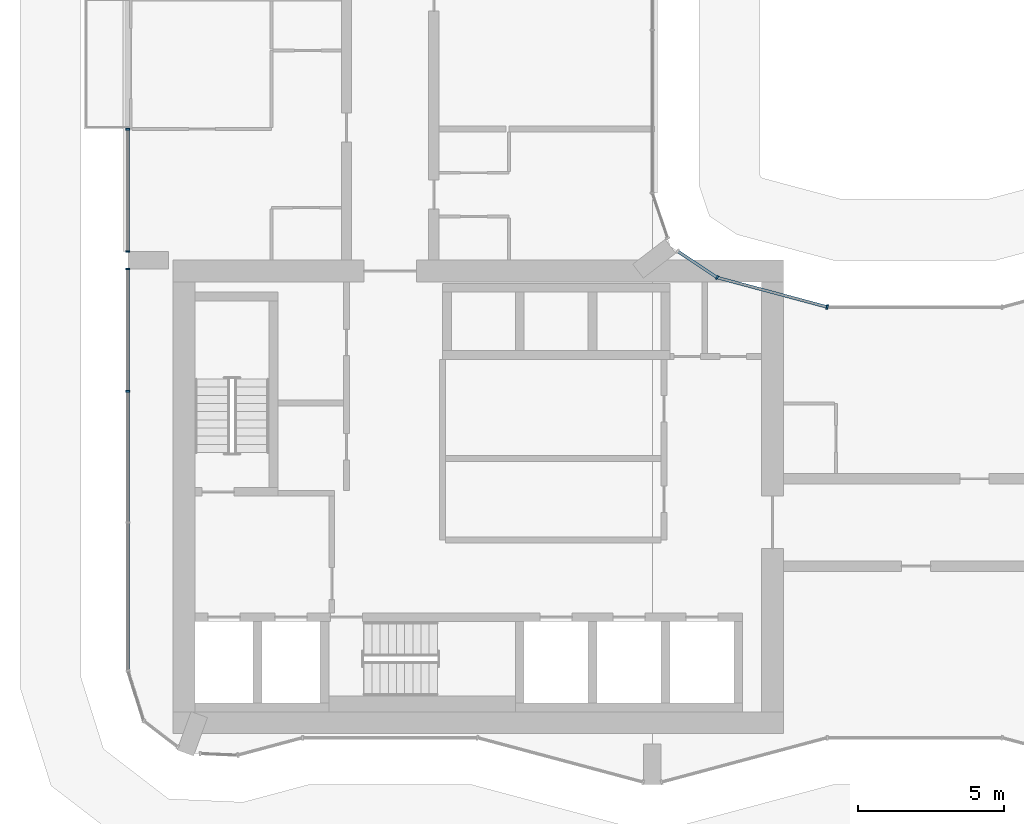
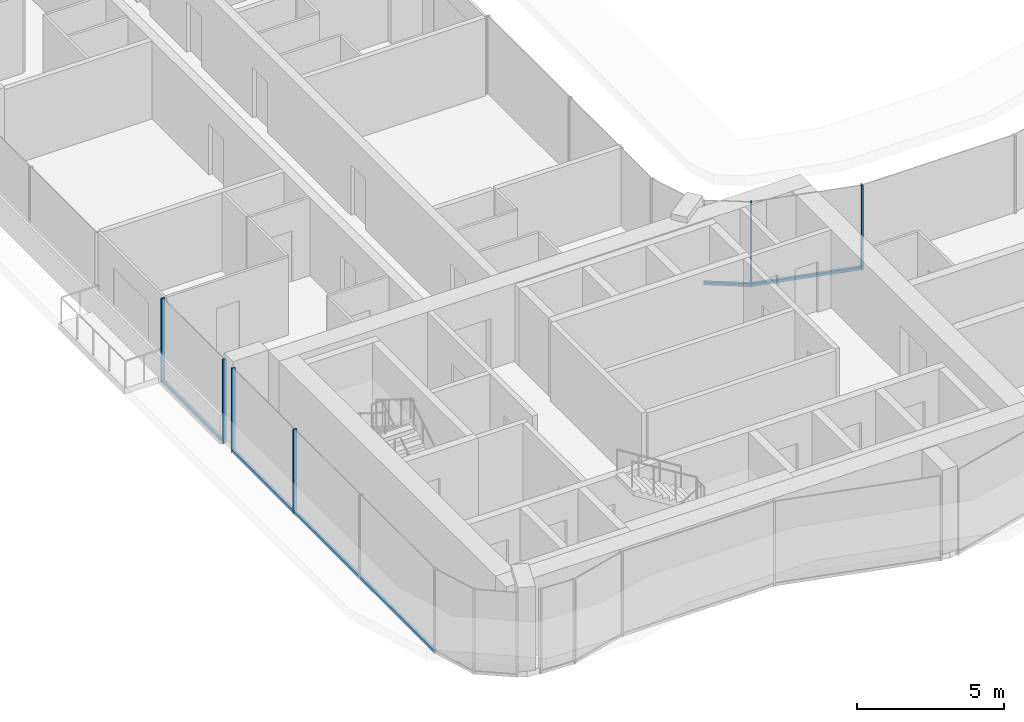
# One storey, part 3 of 24: 10 members, 4 elements without a shape of their own.
"""IFC4 building model written with IfcOpenShell, lengths in metres."""

from ifc_helpers import new_model, si_unit, direction, frame, origin, origin_2d, place, context, subcontext, project, spatial, rectangle, extrude, material, layer, layer_set, material_profile, profile_set, type_object, element, aggregate, save


model = new_model("IFC4")

# Units and contexts
model_context = context("Model", 3, precision=1e-05, world=origin(), true_north=direction((0.0, 1.0)))
body_context = subcontext(model_context, "Body", "Model", "MODEL_VIEW")
ifc_project = project(units=[si_unit("LENGTHUNIT", "METRE"), si_unit("AREAUNIT", "SQUARE_METRE"), si_unit("VOLUMEUNIT", "CUBIC_METRE"), si_unit("PLANEANGLEUNIT", "RADIAN"), si_unit("MASSUNIT", "GRAM", prefix="KILO")], contexts=[model_context])

# Site, building, storey
site_placement = place(None, origin())
site = spatial("IfcSite", under=ifc_project, at=site_placement, CompositionType="ELEMENT")
building_placement = place(site_placement, origin())
building = spatial("IfcBuilding", under=site, at=building_placement, Name="Plateau Cross Towers", CompositionType="ELEMENT")
storey_placement = place(building_placement, frame((0.0, 0.0, 30.300048828125)))
storey = spatial("IfcBuildingStorey", under=building, at=storey_placement, Name="L06", CompositionType="ELEMENT", Elevation=30.300048828125)

# Curtain wall, member
ifc_material_1 = material(Name="Dark low-iron glass", Category="glass")
ifc_layer_1 = layer(ifc_material_1, 0.239990234375)
ifc_layer_set_1 = layer_set([ifc_layer_1], Name="Dark low-iron glass")
curtain_wall_type_1 = type_object("IfcCurtainWallType", Name="Curtain wall flush unitised CW-B", PredefinedType="NOTDEFINED", material=ifc_layer_set_1)
curtain_wall_1_placement = place(storey_placement, origin())
curtain_wall_1 = element("IfcCurtainWall", 1, at=curtain_wall_1_placement, inside=storey, type_object=curtain_wall_type_1, Name="ENV/A/L06/A202_174", PredefinedType="NOTDEFINED")
ifc_material_2 = material(Name="Black anodised aluminium", Category="aluminium")
ifc_material_profile_1 = material_profile(ifc_material_2, rectangle(XDim=0.06005859375, YDim=0.139892578125, at=origin_2d()), Name="MULLION 60x140")
ifc_profile_set_1 = profile_set([ifc_material_profile_1], Name="Black anodised aluminium")
member_type_1 = type_object("IfcMemberType", Name="Mullion 60x140 flush unitised", PredefinedType="MULLION", material=ifc_profile_set_1)
member_1_placement = place(storey_placement, frame((20.223876953125, 17.404296875, -0.25), z_axis=(0.0, 0.0, 1.0), x_axis=(-0.831521253329, 0.555492938984, 0.0)))
member_1 = element("IfcMember", 2, at=member_1_placement, type_object=member_type_1, Name="CW-B mullion 1", PredefinedType="MULLION", context=body_context, shape_type="SweptSolid", body=[
    extrude(rectangle(XDim=0.06005859375, YDim=0.139892578125, at=origin_2d()), origin(), (0.0, 0.0, 1.0), 3.5),
])

# Curtain wall, members
curtain_wall_2_placement = place(storey_placement, origin())
curtain_wall_2 = element("IfcCurtainWall", 3, at=curtain_wall_2_placement, inside=storey, type_object=curtain_wall_type_1, Name="ENV/A/L06/A0_225", PredefinedType="NOTDEFINED")
member_2_placement = place(storey_placement, frame((0.0, 22.489990234375, -0.25), z_axis=(0.0, 0.0, 1.0), x_axis=(0.0, -1.0, 0.0)))
member_2 = element("IfcMember", 4, at=member_2_placement, type_object=member_type_1, Name="CW-B mullion 1", PredefinedType="MULLION", context=body_context, shape_type="SweptSolid", body=[
    extrude(rectangle(XDim=0.06005859375, YDim=0.139892578125, at=origin_2d()), origin(), (0.0, 0.0, 1.0), 3.5),
])
member_3_placement = place(storey_placement, frame((0.0, 18.300048828125, -0.25), z_axis=(0.0, 0.0, 1.0), x_axis=(0.0, -1.0, 0.0)))
member_3 = element("IfcMember", 5, at=member_3_placement, type_object=member_type_1, Name="CW-B mullion 2", PredefinedType="MULLION", context=body_context, shape_type="SweptSolid", body=[
    extrude(rectangle(XDim=0.06005859375, YDim=0.139892578125, at=origin_2d()), origin(), (0.0, 0.0, 1.0), 3.5),
])

curtain_wall_3_placement = place(storey_placement, origin())
curtain_wall_3 = element("IfcCurtainWall", 6, at=curtain_wall_3_placement, inside=storey, type_object=curtain_wall_type_1, Name="ENV/A/L06/A0_177", PredefinedType="NOTDEFINED")
member_4_placement = place(storey_placement, frame((0.0, 17.699951171875, -0.25), z_axis=(0.0, 0.0, 1.0), x_axis=(0.0, -1.0, 0.0)))
member_4 = element("IfcMember", 7, at=member_4_placement, type_object=member_type_1, Name="CW-B mullion 1", PredefinedType="MULLION", context=body_context, shape_type="SweptSolid", body=[
    extrude(rectangle(XDim=0.06005859375, YDim=0.139892578125, at=origin_2d()), origin(), (0.0, 0.0, 1.0), 3.5),
])
member_5_placement = place(storey_placement, frame((0.0, 13.5, -0.25), z_axis=(0.0, 0.0, 1.0), x_axis=(0.0, -1.0, 0.0)))
member_5 = element("IfcMember", 8, at=member_5_placement, type_object=member_type_1, Name="CW-B mullion 2", PredefinedType="MULLION", context=body_context, shape_type="SweptSolid", body=[
    extrude(rectangle(XDim=0.06005859375, YDim=0.139892578125, at=origin_2d()), origin(), (0.0, 0.0, 1.0), 3.5),
])

# Curtain wall, member
ifc_layer_2 = layer(ifc_material_1, 0.260009765625)
ifc_layer_set_2 = layer_set([ifc_layer_2], Name="Dark low-iron glass")
curtain_wall_type_2 = type_object("IfcCurtainWallType", Name="Curtain wall fluted unitised CW-A", PredefinedType="NOTDEFINED", material=ifc_layer_set_2)
curtain_wall_4_placement = place(storey_placement, origin())
curtain_wall_4 = element("IfcCurtainWall", 9, at=curtain_wall_4_placement, inside=storey, type_object=curtain_wall_type_2, Name="ENV/A/L06/A240_164", PredefinedType="NOTDEFINED")
ifc_material_profile_2 = material_profile(ifc_material_2, rectangle(XDim=0.06005859375, YDim=0.159912109375, at=origin_2d()), Name="MULLION 60x160")
ifc_profile_set_2 = profile_set([ifc_material_profile_2], Name="Black anodised aluminium")
member_type_2 = type_object("IfcMemberType", Name="Mullion 60x160 fluted unitised", PredefinedType="MULLION", material=ifc_profile_set_2)
member_6_placement = place(storey_placement, frame((24.0, 16.39306640625, -0.25), z_axis=(0.0, 0.0, 1.0), x_axis=(-0.965957995816, 0.258698956933, 0.0)))
member_6 = element("IfcMember", 10, at=member_6_placement, type_object=member_type_2, Name="CW-A mullion 1", PredefinedType="MULLION", context=body_context, shape_type="SweptSolid", body=[
    extrude(rectangle(XDim=0.06005859375, YDim=0.159912109375, at=origin_2d()), origin(), (0.0, 0.0, 1.0), 3.5),
])

# Member
ifc_material_profile_3 = material_profile(ifc_material_2, rectangle(XDim=0.10009765625, YDim=0.1201171875, at=origin_2d()), Name="TRANSOM 100x120")
ifc_profile_set_3 = profile_set([ifc_material_profile_3], Name="Black anodised aluminium")
member_type_3 = type_object("IfcMemberType", Name="Transom 100x120 flush unitised", PredefinedType="USERDEFINED", material=ifc_profile_set_3)
member_7_placement = place(storey_placement, frame((20.223876953125, 17.404296875, -0.18994140625), z_axis=(-0.831496402487, 0.555530136582, 0.0), x_axis=(-0.555530136582, -0.831496402487, 0.0)))
member_7 = element("IfcMember", 11, at=member_7_placement, type_object=member_type_3, Name="CW-B transom", ObjectType="TRANSOM", PredefinedType="USERDEFINED", context=body_context, shape_type="SweptSolid", body=[
    extrude(rectangle(XDim=0.10009765625, YDim=0.1201171875, at=origin_2d()), origin(), (0.0, 0.0, 1.0), 1.628662109375),
])

aggregate(curtain_wall_1, [member_1, member_7])

member_8_placement = place(storey_placement, frame((0.0, 22.489990234375, -0.18994140625), z_axis=(0.0, -1.0, 0.0), x_axis=(1.0, 0.0, 0.0)))
member_8 = element("IfcMember", 12, at=member_8_placement, type_object=member_type_3, Name="CW-B transom", ObjectType="TRANSOM", PredefinedType="USERDEFINED", context=body_context, shape_type="SweptSolid", body=[
    extrude(rectangle(XDim=0.10009765625, YDim=0.1201171875, at=origin_2d()), origin(), (0.0, 0.0, 1.0), 4.18994140625),
])

aggregate(curtain_wall_2, [member_2, member_3, member_8])

member_9_placement = place(storey_placement, frame((0.0, 17.699951171875, -0.18994140625), z_axis=(0.0, -1.0, 0.0), x_axis=(1.0, 0.0, 0.0)))
member_9 = element("IfcMember", 13, at=member_9_placement, type_object=member_type_3, Name="CW-B transom", ObjectType="TRANSOM", PredefinedType="USERDEFINED", context=body_context, shape_type="SweptSolid", body=[
    extrude(rectangle(XDim=0.10009765625, YDim=0.1201171875, at=origin_2d()), origin(), (0.0, 0.0, 1.0), 13.790771484375),
])

aggregate(curtain_wall_3, [member_4, member_5, member_9])

ifc_material_profile_4 = material_profile(ifc_material_2, rectangle(XDim=0.10009765625, YDim=0.1201171875, at=origin_2d()), Name="TRANSOM 100x120")
ifc_profile_set_4 = profile_set([ifc_material_profile_4], Name="Black anodised aluminium")
member_type_4 = type_object("IfcMemberType", Name="Transom 100x120 fluted unitised", PredefinedType="USERDEFINED", material=ifc_profile_set_4)
member_10_placement = place(storey_placement, frame((24.0, 16.39306640625, -0.18994140625), z_axis=(-0.965962822393, 0.25868093427, 0.0), x_axis=(-0.25868093427, -0.965962822393, 0.0)))
member_10 = element("IfcMember", 14, at=member_10_placement, type_object=member_type_4, Name="CW-A transom", ObjectType="TRANSOM", PredefinedType="USERDEFINED", context=body_context, shape_type="SweptSolid", body=[
    extrude(rectangle(XDim=0.10009765625, YDim=0.1201171875, at=origin_2d()), origin(), (0.0, 0.0, 1.0), 3.9091796875),
])

aggregate(curtain_wall_4, [member_6, member_10])

save(model, "model.ifc")
